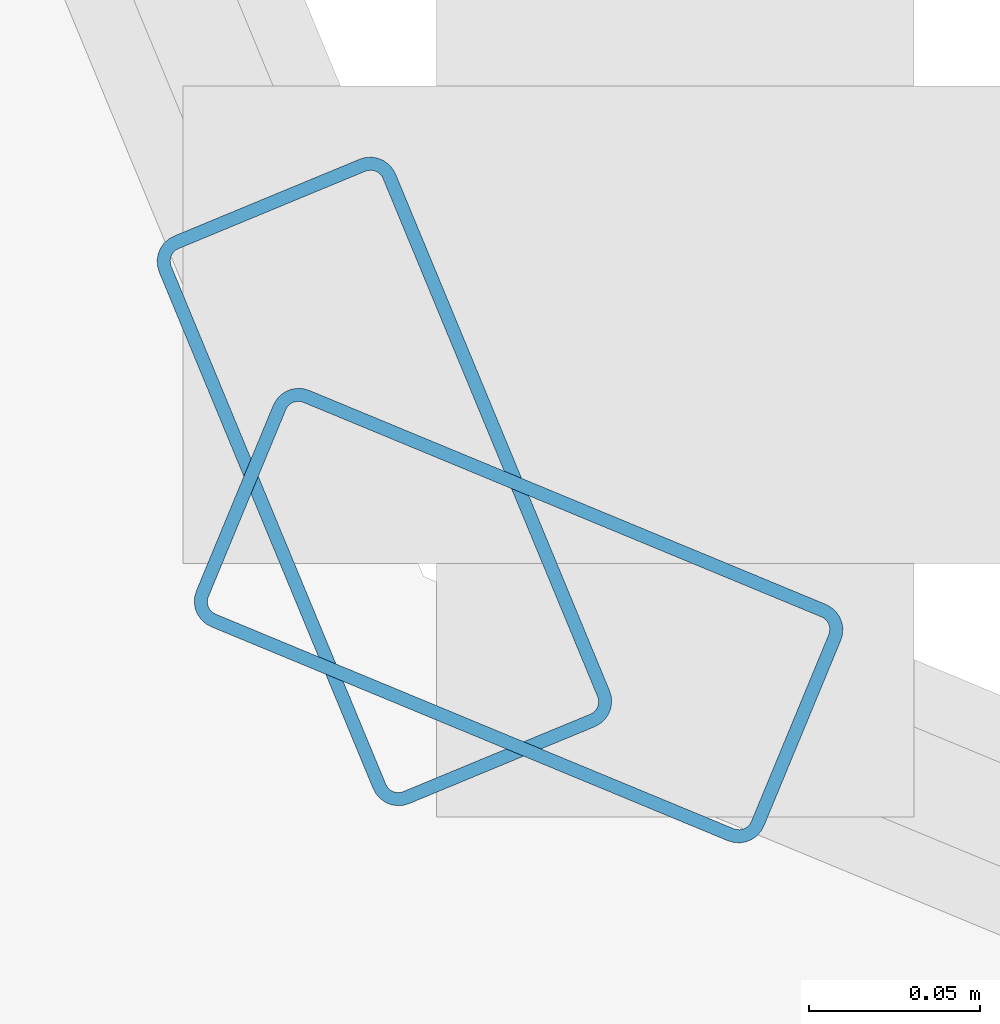
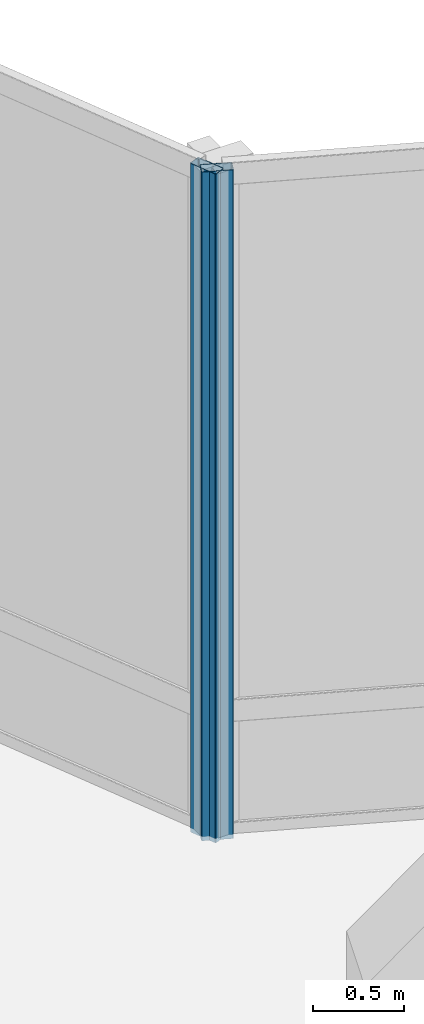
# One storey, part 9 of 42: 2 members, 2 elements without a shape of their own.
"""IFC4 building model written with IfcOpenShell, lengths in metres."""

import ifcopenshell
import ifcopenshell.guid

model = None  # the IFC model being written
_history = None  # IfcOwnerHistory: only IFC2X3 demands one
_inside = {}  # id of a spatial element -> (the spatial element, [elements in it])
_under = {}  # id of a project, library or spatial element -> (it, [spatial elements below it])
_declared = {}  # id of a project -> (the project, [libraries it declares])
_typed = {}  # id of a type object -> (the type object, [elements of that type])
_made_of = {}  # id of a material, layer set ... -> (it, [elements and type objects made of it])


def new_model(schema):
    """Start an empty IFC model of exactly this schema.

    Asked for "IFC4X3", IfcOpenShell would pick the latest addendum, in which some entities
    have other attributes; the version numbers below select the first issue.
    IFC2X3 requires an IfcOwnerHistory on every rooted entity: one is made here for all.
    """
    global model, _history
    if schema == "IFC4X3":
        model = ifcopenshell.file(schema_version=(4, 3, 0, 0))
    else:
        model = ifcopenshell.file(schema=schema)
    _inside.clear()
    _under.clear()
    _declared.clear()
    _typed.clear()
    _made_of.clear()
    _history = None
    if model.schema == "IFC2X3":
        org = make("IfcOrganization", Name="unknown")
        user = make(
            "IfcPersonAndOrganization",
            ThePerson=make("IfcPerson", FamilyName="unknown"),
            TheOrganization=org,
        )
        app = make(
            "IfcApplication",
            ApplicationDeveloper=org,
            Version="unknown",
            ApplicationFullName="unknown",
            ApplicationIdentifier="unknown",
        )
        _history = make(
            "IfcOwnerHistory",
            OwningUser=user,
            OwningApplication=app,
            ChangeAction="ADDED",
            CreationDate=0,
        )
    return model


def make(cls, **values):
    """One entity of the class cls with the attributes given. An attribute that is None is left unset."""
    return model.create_entity(
        cls, **{name: value for name, value in values.items() if value is not None}
    )


def rooted(cls, **values):
    """An entity with a GlobalId (a new one), such as an element, a storey or a relation."""
    return make(cls, GlobalId=ifcopenshell.guid.new(), OwnerHistory=_history, **values)


def si_unit(unit_type, name, prefix=None):
    """IfcSIUnit, for example si_unit("LENGTHUNIT", "METRE", prefix="MILLI")."""
    return make("IfcSIUnit", UnitType=unit_type, Prefix=prefix, Name=name)


def assignment(units):
    """IfcUnitAssignment: the units of a project."""
    return None if units is None else make("IfcUnitAssignment", Units=units)


def point(xyz):
    """IfcCartesianPoint."""
    return None if xyz is None else make("IfcCartesianPoint", Coordinates=xyz)


def direction(xyz):
    """IfcDirection."""
    return None if xyz is None else make("IfcDirection", DirectionRatios=xyz)


def frame(location, z_axis=None, x_axis=None):
    """IfcAxis2Placement3D, a coordinate frame: its origin and axes. An axis left out is left unset."""
    return make(
        "IfcAxis2Placement3D",
        Location=point(location),
        Axis=direction(z_axis),
        RefDirection=direction(x_axis),
    )


def frame_2d(location, x_axis=None):
    """IfcAxis2Placement2D, a coordinate frame in the plane: its origin and x axis."""
    return make(
        "IfcAxis2Placement2D", Location=point(location), RefDirection=direction(x_axis)
    )


def origin():
    """The frame at (0, 0, 0) with its axes left unset."""
    return frame((0.0, 0.0, 0.0))


def origin_2d():
    """The frame at (0, 0) in the plane with its x axis left unset."""
    return frame_2d((0.0, 0.0))


def place(relative_to, where):
    """IfcLocalPlacement: puts the frame where relative to a parent placement (None: the world)."""
    return make(
        "IfcLocalPlacement", PlacementRelTo=relative_to, RelativePlacement=where
    )


def context(
    kind, dimensions, precision=None, world=None, true_north=None, identifier=None
):
    """IfcGeometricRepresentationContext, for example the 3D "Model" context."""
    return make(
        "IfcGeometricRepresentationContext",
        ContextIdentifier=identifier,
        ContextType=kind,
        CoordinateSpaceDimension=dimensions,
        Precision=precision,
        WorldCoordinateSystem=world,
        TrueNorth=true_north,
    )


def subcontext(parent, identifier, kind, view, scale=None):
    """IfcGeometricRepresentationSubContext, for example "Body" below "Model"."""
    return make(
        "IfcGeometricRepresentationSubContext",
        ContextIdentifier=identifier,
        ContextType=kind,
        ParentContext=parent,
        TargetScale=scale,
        TargetView=view,
    )


def project(units=None, contexts=None):
    """IfcProject with its units and contexts."""
    return rooted(
        "IfcProject",
        Name="project",
        RepresentationContexts=contexts,
        UnitsInContext=assignment(units),
    )


def spatial(cls, under=None, at=None, **own):
    """A site, building, storey or space (cls), placed at a placement, below another one or the project."""
    s = rooted(cls, ObjectPlacement=at, **own)
    if under is not None:
        _under.setdefault(under.id(), (under, []))[1].append(s)
    return s


def profile(cls, at=None, kind="AREA", **sizes):
    """A parametric profile (cls). Its sizes go by their IFC names, for example OverallWidth=200.0."""
    return make(cls, ProfileType=kind, Position=at, **sizes)


def hollow_rectangle(**sizes):
    """IfcRectangleHollowProfileDef."""
    return profile("IfcRectangleHollowProfileDef", **sizes)


def extrude(swept, where, along, depth):
    """IfcExtrudedAreaSolid: the profile swept, set in the frame where, extruded along a direction by depth."""
    return make(
        "IfcExtrudedAreaSolid",
        SweptArea=swept,
        Position=where,
        ExtrudedDirection=direction(along),
        Depth=depth,
    )


def shape(context_of_items, identifier, shape_type, items):
    """IfcShapeRepresentation: the items that make up one representation, for example the "Body"."""
    return make(
        "IfcShapeRepresentation",
        ContextOfItems=context_of_items,
        RepresentationIdentifier=identifier,
        RepresentationType=shape_type,
        Items=items,
    )


def material(Name=None, Category=None):
    """IfcMaterial."""
    return make("IfcMaterial", Name=Name, Category=Category)


def layer(
    of_material, thickness, ventilated=None, Name=None, Category=None, Priority=None
):
    """IfcMaterialLayer: one layer of a wall or slab, of a material (None: an air gap)."""
    return make(
        "IfcMaterialLayer",
        Material=of_material,
        LayerThickness=thickness,
        IsVentilated=ventilated,
        Name=Name,
        Category=Category,
        Priority=Priority,
    )


def layer_set(layers, Name=None):
    """IfcMaterialLayerSet."""
    return make("IfcMaterialLayerSet", MaterialLayers=layers, LayerSetName=Name)


def material_profile(
    of_material, cross_section, Name=None, Category=None, Priority=None
):
    """IfcMaterialProfile: a cross section and its material."""
    return make(
        "IfcMaterialProfile",
        Name=Name,
        Material=of_material,
        Profile=cross_section,
        Priority=Priority,
        Category=Category,
    )


def profile_set(profiles, Name=None, composite=None):
    """IfcMaterialProfileSet."""
    return make(
        "IfcMaterialProfileSet",
        Name=Name,
        MaterialProfiles=profiles,
        CompositeProfile=composite,
    )


def made_of(thing, what):
    """Note that an element or type object is made of a material, layer set ...; save() writes the relation."""
    if what is not None:
        _made_of.setdefault(what.id(), (what, []))[1].append(thing)
    return thing


def type_object(cls, material=None, **own):
    """A type object (cls), such as IfcWallType, which elements share."""
    return made_of(rooted(cls, **own), material)


def element(
    cls,
    number,
    at=None,
    inside=None,
    cuts=None,
    type_object=None,
    material=None,
    context=None,
    identifier="Body",
    shape_type=None,
    held_by="IfcProductDefinitionShape",
    body=None,
    shapes=None,
    **own,
):
    """One element of the class cls, such as IfcWall. Its Tag is "e" and its number.

    at: its placement. inside: the storey or other place that contains it. cuts: it is an
    opening in that element (IfcRelVoidsElement). A single representation is given by context,
    identifier, shape_type and body (its items); several are given by shapes. held_by: the class
    of the entity that holds the representations. save() writes the other relations.
    """
    e = rooted(cls, Tag="e%d" % number, ObjectPlacement=at, **own)
    if body is not None:
        shapes = [shape(context, identifier, shape_type, body)]
    if shapes is not None:
        e.Representation = make(held_by, Representations=shapes)
    if inside is not None:
        _inside.setdefault(inside.id(), (inside, []))[1].append(e)
    if cuts is not None:
        rooted(
            "IfcRelVoidsElement", RelatingBuildingElement=cuts, RelatedOpeningElement=e
        )
    if type_object is not None:
        _typed.setdefault(type_object.id(), (type_object, []))[1].append(e)
    return made_of(e, material)


def aggregate(whole, parts):
    """IfcRelAggregates: a whole, such as a stair, and the parts it consists of."""
    return rooted("IfcRelAggregates", RelatingObject=whole, RelatedObjects=parts)


def save(model, path):
    """Write the relations noted so far, then the file.

    IfcRelAggregates (storeys below a building ...), IfcRelContainedInSpatialStructure (elements
    in a storey), IfcRelDefinesByType, IfcRelAssociatesMaterial and IfcRelDeclares: one each for
    every whole, place, type object, material and project.
    """
    for whole, parts in _under.values():
        aggregate(whole, parts)
    for where, things in _inside.values():
        rooted(
            "IfcRelContainedInSpatialStructure",
            RelatedElements=things,
            RelatingStructure=where,
        )
    for kind, things in _typed.values():
        rooted("IfcRelDefinesByType", RelatedObjects=things, RelatingType=kind)
    for what, things in _made_of.values():
        rooted("IfcRelAssociatesMaterial", RelatedObjects=things, RelatingMaterial=what)
    for by, libraries in _declared.values():
        rooted("IfcRelDeclares", RelatingContext=by, RelatedDefinitions=libraries)
    model.write(path)


model = new_model("IFC4")

# Units and contexts
model_context = context("Model", 3, precision=1e-05, world=origin(), true_north=direction((0.0, 1.0)))
body_context = subcontext(model_context, "Body", "Model", "MODEL_VIEW")
ifc_project = project(units=[si_unit("LENGTHUNIT", "METRE"), si_unit("AREAUNIT", "SQUARE_METRE"), si_unit("VOLUMEUNIT", "CUBIC_METRE"), si_unit("PLANEANGLEUNIT", "RADIAN"), si_unit("MASSUNIT", "GRAM", prefix="KILO")], contexts=[model_context])

# Site, building, storey
site_placement = place(None, origin())
site = spatial("IfcSite", under=ifc_project, at=site_placement, CompositionType="ELEMENT")
building_placement = place(site_placement, origin())
building = spatial("IfcBuilding", under=site, at=building_placement, Name="Solvaryn Broadcast Tower", CompositionType="ELEMENT")
storey_placement = place(building_placement, frame((0.0, 0.0, 100.199951171875)))
storey = spatial("IfcBuildingStorey", under=building, at=storey_placement, Name="L24", CompositionType="ELEMENT", Elevation=100.199951171875)

# Curtain wall, member
ifc_material_1 = material(Name="Aluminium and Terracotta Unitised Curtain Wall", Category="masonry")
ifc_layer = layer(ifc_material_1, 0.199951171875)
ifc_layer_set = layer_set([ifc_layer], Name="CW-SYS2-LOWMID")
curtain_wall_type = type_object("IfcCurtainWallType", Name="CW-SYS2-LOWMID", PredefinedType="NOTDEFINED", material=ifc_layer_set)
curtain_wall_1_placement = place(storey_placement, origin())
curtain_wall_1 = element("IfcCurtainWall", 1, at=curtain_wall_1_placement, inside=storey, type_object=curtain_wall_type, Name="L24 Curtain Wall CN1", PredefinedType="NOTDEFINED")
ifc_material_2 = material(Name="Anodised Aluminium 6063-T6", Category="aluminium")
ifc_material_profile = material_profile(ifc_material_2, hollow_rectangle(XDim=0.074951171875, YDim=0.179931640625, WallThickness=0.00390625, InnerFilletRadius=0.00390625, OuterFilletRadius=0.008056640625, at=origin_2d()))
ifc_profile_set = profile_set([ifc_material_profile], Name="Anodised Aluminium 6063-T6")
member_type = type_object("IfcMemberType", Name="CW-MUL-180", PredefinedType="MULLION", material=ifc_profile_set)
member_1_placement = place(storey_placement, frame((30.395751953125, 30.3564453125, 0.0), z_axis=(0.0, 0.0, 1.0), x_axis=(-0.382646127145, -0.923894983957, 0.0)))
member_1 = element("IfcMember", 2, at=member_1_placement, type_object=member_type, Name="CWS2 mullion 2", PredefinedType="MULLION", context=body_context, shape_type="SweptSolid", body=[
    extrude(hollow_rectangle(XDim=0.074951171875, YDim=0.179931640625, WallThickness=0.00390625, InnerFilletRadius=0.00390625, OuterFilletRadius=0.008056640625, at=origin_2d()), origin(), (0.0, 0.0, 1.0), 4.469970703125),
])
aggregate(curtain_wall_1, [member_1])

curtain_wall_2_placement = place(storey_placement, origin())
curtain_wall_2 = element("IfcCurtainWall", 3, at=curtain_wall_2_placement, inside=storey, type_object=curtain_wall_type, Name="L24 Curtain Wall CN2", PredefinedType="NOTDEFINED")
member_2_placement = place(storey_placement, frame((30.3564453125, 30.395751953125, 0.0), z_axis=(0.0, 0.0, 1.0), x_axis=(-0.923894983957, -0.382646127145, 0.0)))
member_2 = element("IfcMember", 4, at=member_2_placement, type_object=member_type, Name="CWS2 mullion 1", PredefinedType="MULLION", context=body_context, shape_type="SweptSolid", body=[
    extrude(hollow_rectangle(XDim=0.074951171875, YDim=0.179931640625, WallThickness=0.00390625, InnerFilletRadius=0.00390625, OuterFilletRadius=0.008056640625, at=origin_2d()), origin(), (0.0, 0.0, 1.0), 4.469970703125),
])
aggregate(curtain_wall_2, [member_2])

save(model, "model.ifc")
